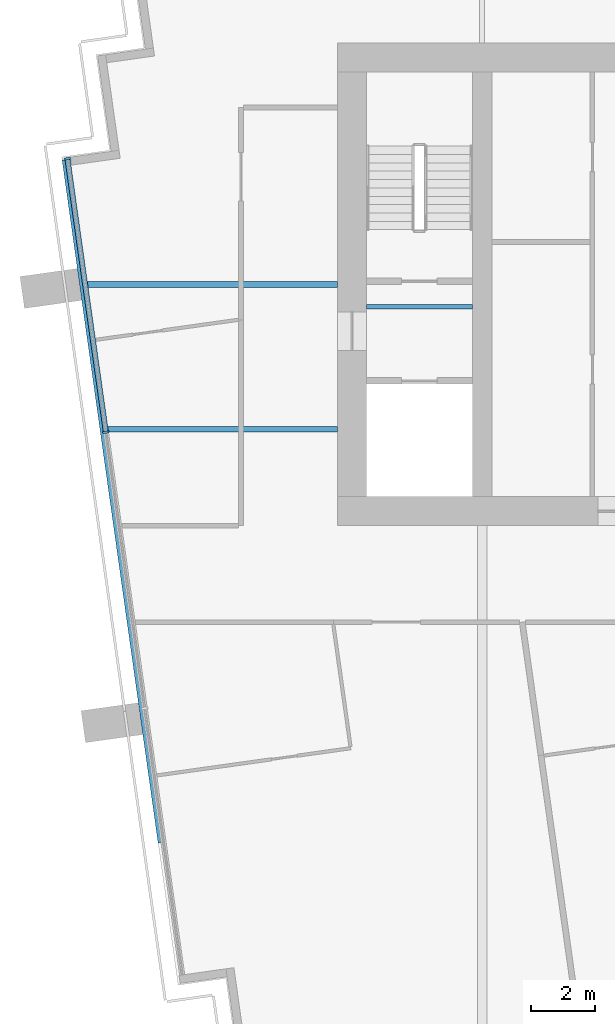
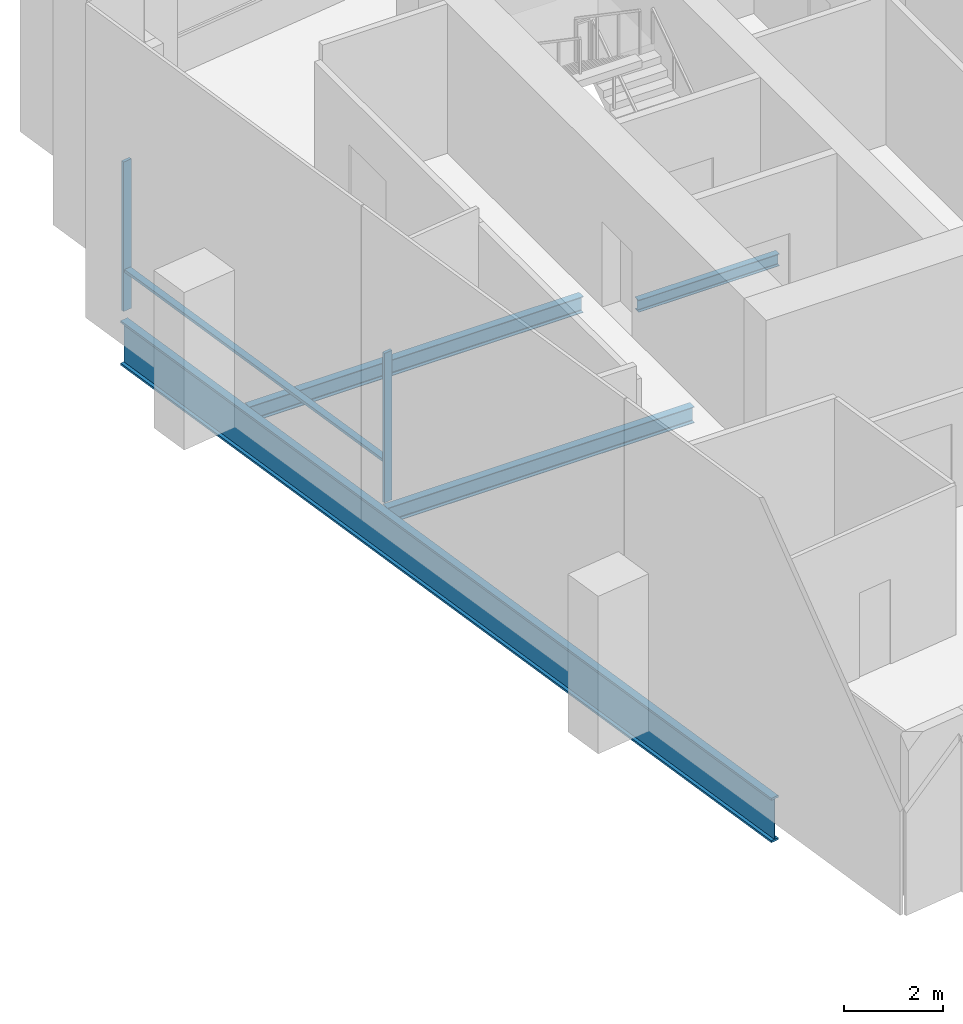
# One storey, part 3 of 15: 4 beams, 3 members, 1 element without a shape of its own.
"""IFC4 building model written with IfcOpenShell, lengths in metres."""

from ifc_helpers import new_model, si_unit, direction, frame, origin, origin_2d, place, context, subcontext, project, spatial, rectangle, i_section, extrude, material, layer, layer_set, material_profile, profile_set, type_object, element, aggregate, save


model = new_model("IFC4")

# Units and contexts
model_context = context("Model", 3, precision=1e-05, world=origin(), true_north=direction((0.0, 1.0)))
body_context = subcontext(model_context, "Body", "Model", "MODEL_VIEW")
ifc_project = project(units=[si_unit("LENGTHUNIT", "METRE"), si_unit("AREAUNIT", "SQUARE_METRE"), si_unit("VOLUMEUNIT", "CUBIC_METRE"), si_unit("PLANEANGLEUNIT", "RADIAN"), si_unit("MASSUNIT", "GRAM", prefix="KILO")], contexts=[model_context])

# Site, building, storey
site_placement = place(None, origin())
site = spatial("IfcSite", under=ifc_project, at=site_placement, CompositionType="ELEMENT")
building_placement = place(site_placement, origin())
building = spatial("IfcBuilding", under=site, at=building_placement, Name="Rattan Terrace Tower", CompositionType="ELEMENT")
storey_placement = place(building_placement, frame((0.0, 0.0, 278.5)))
storey = spatial("IfcBuildingStorey", under=building, at=storey_placement, Name="L64", CompositionType="ELEMENT", Elevation=278.5)

# Beams
ifc_material_1 = material(Name="Steel S460", Category="steel")
ifc_material_profile_1 = material_profile(ifc_material_1, i_section(OverallWidth=0.179931640625, OverallDepth=1.10009765625, WebThickness=0.01611328125, FlangeThickness=0.050048828125, at=origin_2d()), Name="PG 1100x180-16-50")
ifc_profile_set_1 = profile_set([ifc_material_profile_1], Name="Steel S460")
beam_type_1 = type_object("IfcBeamType", Name="Frame edge girder PG 1100x180-16-50", PredefinedType="SPANDREL", material=ifc_profile_set_1)
beam_1_placement = place(storey_placement, frame((-23.485107421875, -17.347900390625, -0.75), z_axis=(-0.139189723544, 0.990265732448, 0.0), x_axis=(-0.990265732448, -0.139189723544, 0.0)))
element("IfcBeam", 1, at=beam_1_placement, inside=storey, type_object=beam_type_1, Name="gdr-L64-003", PredefinedType="SPANDREL", context=body_context, shape_type="SweptSolid", body=[
    extrude(i_section(OverallWidth=0.179931640625, OverallDepth=1.10009765625, WebThickness=0.01611328125, FlangeThickness=0.050048828125, at=origin_2d()), origin(), (0.0, 0.0, 1.0), 21.430419921875),
])
ifc_material_2 = material(Name="Steel S355", Category="steel")
ifc_material_profile_2 = material_profile(ifc_material_2, i_section(OverallWidth=0.14990234375, OverallDepth=0.300048828125, WebThickness=0.007080078125, FlangeThickness=0.0107421875, FilletRadius=0.014892578125, at=origin_2d()), Name="IPE 300")
ifc_profile_set_2 = profile_set([ifc_material_profile_2], Name="Steel S355")
beam_type_2 = type_object("IfcBeamType", Name="Frame floor beam IPE 300", PredefinedType="JOIST", material=ifc_profile_set_2)
beam_2_placement = place(storey_placement, frame((-17.10009765625, -0.695068359375, -0.35009765625), z_axis=(1.0, 0.0, 0.0), x_axis=(0.0, 1.0, 0.0)))
element("IfcBeam", 2, at=beam_2_placement, inside=storey, type_object=beam_type_2, Name="bm-L64-001", PredefinedType="JOIST", context=body_context, shape_type="SweptSolid", body=[
    extrude(i_section(OverallWidth=0.14990234375, OverallDepth=0.300048828125, WebThickness=0.007080078125, FlangeThickness=0.0107421875, FilletRadius=0.014892578125, at=origin_2d()), origin(), (0.0, 0.0, 1.0), 3.300048828125),
])
ifc_material_3 = material(Name="Steel S355", Category="steel")
ifc_material_profile_3 = material_profile(ifc_material_3, i_section(OverallWidth=0.179931640625, OverallDepth=0.39990234375, WebThickness=0.008544921875, FlangeThickness=0.013427734375, FilletRadius=0.02099609375, at=origin_2d()), Name="IPE 400")
ifc_profile_set_3 = profile_set([ifc_material_profile_3], Name="Steel S355")
beam_type_3 = type_object("IfcBeamType", Name="Frame floor beam IPE 400", PredefinedType="JOIST", material=ifc_profile_set_3)
beam_3_placement = place(storey_placement, frame((-25.18701171875, -4.5, -0.39990234375), z_axis=(1.0, 0.0, 0.0), x_axis=(0.0, 1.0, 0.0)))
element("IfcBeam", 3, at=beam_3_placement, inside=storey, type_object=beam_type_3, Name="bm-L64-010", PredefinedType="JOIST", context=body_context, shape_type="SweptSolid", body=[
    extrude(i_section(OverallWidth=0.179931640625, OverallDepth=0.39990234375, WebThickness=0.008544921875, FlangeThickness=0.013427734375, FilletRadius=0.02099609375, at=origin_2d()), origin(), (0.0, 0.0, 1.0), 7.18701171875),
])
beam_4_placement = place(storey_placement, frame((-25.820068359375, 0.0, -0.39990234375), z_axis=(1.0, 0.0, 0.0), x_axis=(0.0, 1.0, 0.0)))
element("IfcBeam", 4, at=beam_4_placement, inside=storey, type_object=beam_type_3, Name="bm-L64-012", PredefinedType="JOIST", context=body_context, shape_type="SweptSolid", body=[
    extrude(i_section(OverallWidth=0.179931640625, OverallDepth=0.39990234375, WebThickness=0.008544921875, FlangeThickness=0.013427734375, FilletRadius=0.02099609375, at=origin_2d()), origin(), (0.0, 0.0, 1.0), 7.820068359375),
])

# Curtain wall, members
ifc_material_4 = material(Name="Aluminium and laminated glass", Category="aluminium")
ifc_layer = layer(ifc_material_4, 0.199951171875)
ifc_layer_set = layer_set([ifc_layer], Name="High-Zone Unitised Curtain Wall")
curtain_wall_type = type_object("IfcCurtainWallType", Name="High-Zone Unitised Curtain Wall", PredefinedType="NOTDEFINED", material=ifc_layer_set)
curtain_wall_placement = place(storey_placement, origin())
curtain_wall = element("IfcCurtainWall", 5, at=curtain_wall_placement, inside=storey, type_object=curtain_wall_type, Name="High-zone curtain wall L64-3", PredefinedType="NOTDEFINED")
ifc_material_5 = material(Name="Aluminium", Category="aluminium")
ifc_material_profile_4 = material_profile(ifc_material_5, rectangle(XDim=0.070068359375, YDim=0.199951171875, at=origin_2d()), Name="Aluminium 70x200")
ifc_profile_set_4 = profile_set([ifc_material_profile_4], Name="Aluminium")
member_type_1 = type_object("IfcMemberType", Name="High-Zone CW Mullion 70x200", PredefinedType="MULLION", material=ifc_profile_set_4)
member_1_placement = place(storey_placement, frame((-26.3916015625, 3.908447265625, 0.0), z_axis=(0.0, 0.0, 1.0), x_axis=(0.139191775431, -0.990265444036, 0.0)))
member_1 = element("IfcMember", 6, at=member_1_placement, type_object=member_type_1, Name="Mullion cwl-L64-003.1", PredefinedType="MULLION", context=body_context, shape_type="SweptSolid", body=[
    extrude(rectangle(XDim=0.070068359375, YDim=0.199951171875, at=origin_2d()), origin(), (0.0, 0.0, 1.0), 3.699951171875),
])
member_2_placement = place(storey_placement, frame((-25.1962890625, -4.594970703125, 0.0), z_axis=(0.0, 0.0, 1.0), x_axis=(0.139191775431, -0.990265444036, 0.0)))
member_2 = element("IfcMember", 7, at=member_2_placement, type_object=member_type_1, Name="Mullion cwl-L64-003.2", PredefinedType="MULLION", context=body_context, shape_type="SweptSolid", body=[
    extrude(rectangle(XDim=0.070068359375, YDim=0.199951171875, at=origin_2d()), origin(), (0.0, 0.0, 1.0), 3.699951171875),
])
ifc_material_6 = material(Name="Aluminium", Category="aluminium")
ifc_material_profile_5 = material_profile(ifc_material_6, rectangle(XDim=0.159912109375, YDim=0.070068359375, at=origin_2d()), Name="Aluminium 160x70")
ifc_profile_set_5 = profile_set([ifc_material_profile_5], Name="Aluminium")
member_type_2 = type_object("IfcMemberType", Name="High-Zone CW Transom 160x70", PredefinedType="USERDEFINED", material=ifc_profile_set_5)
member_3_placement = place(storey_placement, frame((-26.38671875, 3.873779296875, 1.0), z_axis=(0.139197734293, -0.99026460644, 0.0), x_axis=(0.99026460644, 0.139197734293, 0.0)))
member_3 = element("IfcMember", 8, at=member_3_placement, type_object=member_type_2, Name="Transom cwl-L64-003.1", ObjectType="TRANSOM", PredefinedType="USERDEFINED", context=body_context, shape_type="SweptSolid", body=[
    extrude(rectangle(XDim=0.159912109375, YDim=0.070068359375, at=origin_2d()), origin(), (0.0, 0.0, 1.0), 8.51708984375),
])
aggregate(curtain_wall, [member_1, member_2, member_3])

save(model, "model.ifc")
